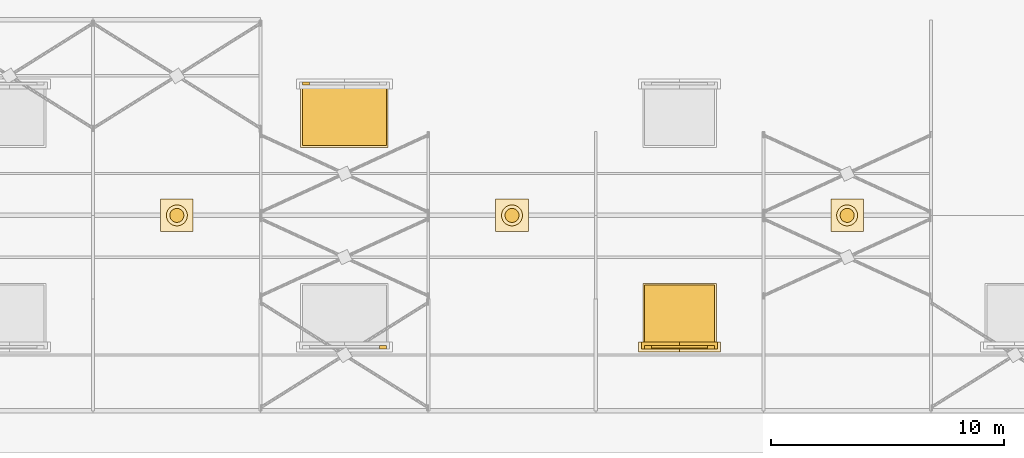
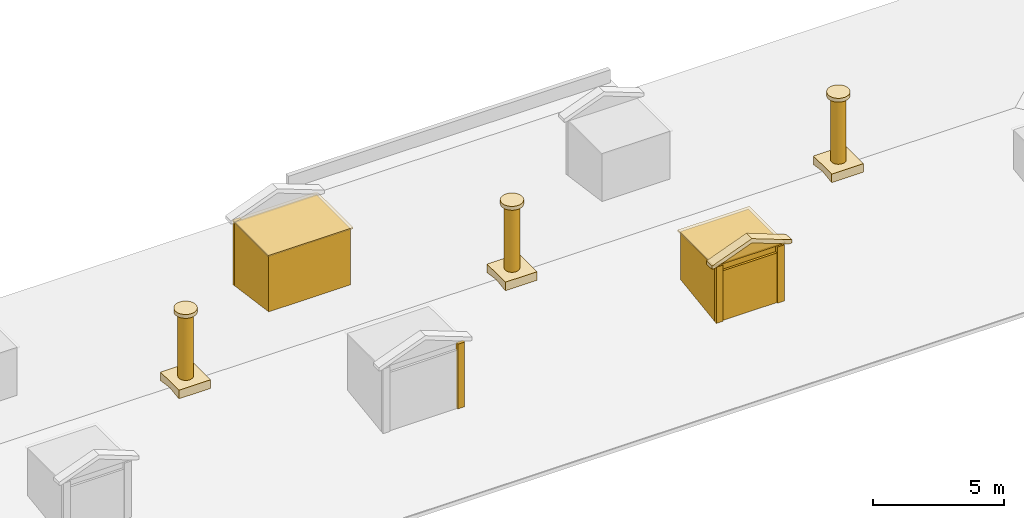
# One storey, part 20 of 24: 19 coverings, 1 shading device.
"""IFC4 building model written with IfcOpenShell, lengths in metres."""

from ifc_helpers import new_model, si_unit, direction, frame, origin, origin_2d, place, context, subcontext, project, spatial, polyline, rectangle, circle, outline, extrude, material, layer, layer_set, material_profile, profile_set, type_object, element, save


model = new_model("IFC4")

# Units and contexts
model_context = context("Model", 3, precision=1e-05, world=origin(), true_north=direction((0.0, 1.0)))
body_context = subcontext(model_context, "Body", "Model", "MODEL_VIEW")
ifc_project = project(units=[si_unit("LENGTHUNIT", "METRE"), si_unit("AREAUNIT", "SQUARE_METRE"), si_unit("VOLUMEUNIT", "CUBIC_METRE"), si_unit("PLANEANGLEUNIT", "RADIAN"), si_unit("MASSUNIT", "GRAM", prefix="KILO")], contexts=[model_context])

# Site, building, storey
site_placement = place(None, origin())
site = spatial("IfcSite", under=ifc_project, at=site_placement, CompositionType="ELEMENT")
building_placement = place(site_placement, origin())
building = spatial("IfcBuilding", under=site, at=building_placement, Name="Ussher Court Research Institute", CompositionType="ELEMENT")
storey_placement = place(building_placement, frame((0.0, 0.0, 32.39990234375)))
storey = spatial("IfcBuildingStorey", under=building, at=storey_placement, Name="L07", CompositionType="ELEMENT", Elevation=32.39990234375)

# Coverings
ifc_material_1 = material(Name="Lead sheet cladding")
covering_type_1 = type_object("IfcCoveringType", Name="Dormer body 3000x2600x2600", PredefinedType="CLADDING", material=ifc_material_1)
covering_1_placement = place(storey_placement, frame((55.5, 74.0, 0.68701171875), z_axis=(1.0, 0.0, 0.0), x_axis=(0.0, 1.0, 0.0)))
element("IfcCovering", 1, at=covering_1_placement, inside=storey, type_object=covering_type_1, Name="Dormer body DM30 S4", PredefinedType="CLADDING", context=body_context, shape_type="SweptSolid", body=[
    extrude(outline(polyline([(0.0, 0.0), (2.60009765625, 0.365478515625), (2.60009765625, 2.60009765625), (0.0, 2.60009765625), (0.0, 0.0)])), origin(), (0.0, 0.0, 1.0), 3.0),
])
ifc_material_2 = material(Name="Lead sheet cladding")
covering_type_2 = type_object("IfcCoveringType", Name="Dormer body 3600x2600x3000", PredefinedType="CLADDING", material=ifc_material_2)
covering_2_placement = place(storey_placement, frame((40.800048828125, 85.199951171875, 0.68701171875), z_axis=(1.0, 0.0, 0.0), x_axis=(0.0, 1.0, 0.0)))
element("IfcCovering", 2, at=covering_2_placement, inside=storey, type_object=covering_type_2, Name="Dormer body DM36 N2", PredefinedType="CLADDING", context=body_context, shape_type="SweptSolid", body=[
    extrude(outline(polyline([(0.0, 0.0), (0.0, 3.0), (-2.60009765625, 3.0), (-2.60009765625, 0.365478515625), (0.0, 0.0)])), origin(), (0.0, 0.0, 1.0), 3.599853515625),
])
ifc_material_3 = material(Name="Lead sheet cladding")
ifc_layer_1 = layer(ifc_material_3, 0.06005859375)
ifc_layer_set_1 = layer_set([ifc_layer_1], Name="Lead sheet cladding")
covering_type_3 = type_object("IfcCoveringType", Name="Dormer cap 3160x2760", PredefinedType="CLADDING", material=ifc_layer_set_1)
covering_3_placement = place(storey_placement, frame((57.0, 75.300048828125, 3.286865234375), z_axis=(0.0, 0.0, 1.0), x_axis=(1.0, 0.0, 0.0)))
element("IfcCovering", 3, at=covering_3_placement, inside=storey, type_object=covering_type_3, Name="Dormer cap DC30 S4", PredefinedType="CLADDING", context=body_context, shape_type="SweptSolid", body=[
    extrude(rectangle(XDim=3.159912109375, YDim=2.760009765625, at=origin_2d()), origin(), (0.0, 0.0, 1.0), 0.06005859375),
])
ifc_material_4 = material(Name="Lead sheet cladding")
ifc_layer_2 = layer(ifc_material_4, 0.06005859375)
ifc_layer_set_2 = layer_set([ifc_layer_2], Name="Lead sheet cladding")
covering_type_4 = type_object("IfcCoveringType", Name="Dormer cap 3760x2760", PredefinedType="CLADDING", material=ifc_layer_set_2)
covering_4_placement = place(storey_placement, frame((42.60009765625, 83.89990234375, 3.68701171875), z_axis=(0.0, 0.0, 1.0), x_axis=(1.0, 0.0, 0.0)))
element("IfcCovering", 4, at=covering_4_placement, inside=storey, type_object=covering_type_4, Name="Dormer cap DC36 N2", PredefinedType="CLADDING", context=body_context, shape_type="SweptSolid", body=[
    extrude(rectangle(XDim=3.760009765625, YDim=2.760009765625, at=origin_2d()), origin(), (0.0, 0.0, 1.0), 0.06005859375),
])
ifc_material_5 = material(Name="Limestone cornice", Category="masonry")
covering_type_5 = type_object("IfcCoveringType", Name="Dormer pilaster 300x140", PredefinedType="CLADDING", material=ifc_material_5)
covering_5_placement = place(storey_placement, frame((44.25, 73.929931640625, 0.6669921875), z_axis=(0.0, 0.0, 1.0), x_axis=(1.0, 0.0, 0.0)))
element("IfcCovering", 5, at=covering_5_placement, inside=storey, type_object=covering_type_5, Name="Dormer pilaster DP1 S3", PredefinedType="CLADDING", context=body_context, shape_type="SweptSolid", body=[
    extrude(rectangle(XDim=0.300048828125, YDim=0.139892578125, at=origin_2d()), origin(), (0.0, 0.0, 1.0), 3.019775390625),
])
for number, where, z_axis, x_axis, name in (
    (6, (55.64990234375, 73.929931640625, 0.667236328125), (0.0, 0.0, 1.0), (1.0, 0.0, 0.0), "Dormer pilaster DP1 S4"),
    (7, (58.35009765625, 73.929931640625, 0.667236328125), (0.0, 0.0, 1.0), (1.0, 0.0, 0.0), "Dormer pilaster DP1 S4"),
):
    element("IfcCovering", number, at=place(storey_placement, frame(where, z_axis=z_axis, x_axis=x_axis)), inside=storey, type_object=covering_type_5, Name=name, PredefinedType="CLADDING", context=body_context, shape_type="SweptSolid", body=[
        extrude(rectangle(XDim=0.300048828125, YDim=0.139892578125, at=origin_2d()), origin(), (0.0, 0.0, 1.0), 2.61962890625),
    ])
covering_6_placement = place(storey_placement, frame((40.949951171875, 85.27001953125, 0.6669921875), z_axis=(0.0, 0.0, 1.0), x_axis=(1.0, 0.0, 0.0)))
element("IfcCovering", 8, at=covering_6_placement, inside=storey, type_object=covering_type_5, Name="Dormer pilaster DP1 N2", PredefinedType="CLADDING", context=body_context, shape_type="SweptSolid", body=[
    extrude(rectangle(XDim=0.300048828125, YDim=0.139892578125, at=origin_2d()), origin(), (0.0, 0.0, 1.0), 3.019775390625),
])
ifc_material_6 = material(Name="Limestone cornice", Category="masonry")
covering_type_6 = type_object("IfcCoveringType", Name="Dormer raking cornice 3520", PredefinedType="CLADDING", material=ifc_material_6)
covering_7_placement = place(storey_placement, frame((57.0, 73.739990234375, 3.346923828125), z_axis=(0.0, 1.0, 0.0), x_axis=(-1.0, 0.0, 0.0)))
element("IfcCovering", 9, at=covering_7_placement, inside=storey, type_object=covering_type_6, Name="Dormer rake DR30 S4", PredefinedType="CLADDING", context=body_context, shape_type="SweptSolid", body=[
    extrude(outline(polyline([(1.760009765625, 0.0), (1.760009765625, 0.154296875), (0.0, 0.8232421875), (-1.760009765625, 0.154296875), (-1.760009765625, 0.0), (-1.639892578125, 0.0), (0.0, 0.623291015625), (1.639892578125, 0.0), (1.760009765625, 0.0)])), origin(), (0.0, 0.0, 1.0), 0.419921875),
])
ifc_material_7 = material(Name="Limestone cornice", Category="masonry")
covering_type_7 = type_object("IfcCoveringType", Name="Dormer tympanum 3280x623", PredefinedType="CLADDING", material=ifc_material_7)
covering_8_placement = place(storey_placement, frame((57.0, 73.860107421875, 3.346923828125), z_axis=(0.0, 1.0, 0.0), x_axis=(-1.0, 0.0, 0.0)))
element("IfcCovering", 10, at=covering_8_placement, inside=storey, type_object=covering_type_7, Name="Dormer tymp DT30 S4", PredefinedType="CLADDING", context=body_context, shape_type="SweptSolid", body=[
    extrude(outline(polyline([(1.639892578125, 0.0), (0.0, 0.623291015625), (-1.639892578125, 0.0), (1.639892578125, 0.0)])), origin(), (0.0, 0.0, 1.0), 0.2998046875),
])

# Shading device
ifc_material_8 = material(Name="Aluminium louvre", Category="aluminium")
ifc_layer_3 = layer(ifc_material_8, 0.10009765625)
ifc_layer_set_3 = layer_set([ifc_layer_3], Name="Aluminium louvre")
shading_device_type = type_object("IfcShadingDeviceType", Name="Dormer vent louvre 2400x2300", PredefinedType="USERDEFINED", material=ifc_layer_set_3)
shading_device_placement = place(storey_placement, frame((57.0, 73.949951171875, 0.6728515625), z_axis=(0.0, 0.0, 1.0), x_axis=(1.0, 0.0, 0.0)))
element("IfcShadingDevice", 11, at=shading_device_placement, inside=storey, type_object=shading_device_type, Name="Dormer vent louvre DL30 S4", ObjectType="LOUVRE", PredefinedType="USERDEFINED", context=body_context, shape_type="SweptSolid", body=[
    extrude(rectangle(XDim=2.39990234375, YDim=0.10009765625, at=origin_2d()), origin(), (0.0, 0.0, 1.0), 2.314208984375),
])

# Coverings
ifc_material_9 = material(Name="Galvanised steel flue", Category="steel")
ifc_material_profile_1 = material_profile(ifc_material_9, circle(Radius=0.300048828125, at=origin_2d()), Name="Extract flue 600 dia")
ifc_profile_set_1 = profile_set([ifc_material_profile_1], Name="Galvanised steel flue")
covering_type_8 = type_object("IfcCoveringType", Name="Extract flue 600 dia", PredefinedType="CLADDING", material=ifc_profile_set_1)
for number, where, z_axis, x_axis, name in (
    (12, (35.39990234375, 79.60009765625, 1.77392578125), (0.0, 0.0, 1.0), (1.0, 0.0, 0.0), "Extract flue SK2 2"),
    (13, (49.800048828125, 79.60009765625, 1.77392578125), (0.0, 0.0, 1.0), (1.0, 0.0, 0.0), "Extract flue SK2 3"),
    (14, (64.199951171875, 79.60009765625, 1.77392578125), (0.0, 0.0, 1.0), (1.0, 0.0, 0.0), "Extract flue SK2 4"),
):
    element("IfcCovering", number, at=place(storey_placement, frame(where, z_axis=z_axis, x_axis=x_axis)), inside=storey, type_object=covering_type_8, Name=name, PredefinedType="CLADDING", context=body_context, shape_type="SweptSolid", body=[
        extrude(circle(Radius=0.300048828125, at=origin_2d()), origin(), (0.0, 0.0, 1.0), 3.0),
    ])
ifc_material_10 = material(Name="Galvanised steel flue", Category="steel")
ifc_material_profile_2 = material_profile(ifc_material_10, circle(Radius=0.449951171875, at=origin_2d()), Name="Flue cowl 900 dia")
ifc_profile_set_2 = profile_set([ifc_material_profile_2], Name="Galvanised steel flue")
covering_type_9 = type_object("IfcCoveringType", Name="Flue cowl 900 dia", PredefinedType="CLADDING", material=ifc_profile_set_2)
for number, where, z_axis, x_axis, name in (
    (15, (35.39990234375, 79.60009765625, 4.77392578125), (0.0, 0.0, 1.0), (1.0, 0.0, 0.0), "Flue cowl SK3 2"),
    (16, (49.800048828125, 79.60009765625, 4.77392578125), (0.0, 0.0, 1.0), (1.0, 0.0, 0.0), "Flue cowl SK3 3"),
    (17, (64.199951171875, 79.60009765625, 4.77392578125), (0.0, 0.0, 1.0), (1.0, 0.0, 0.0), "Flue cowl SK3 4"),
):
    element("IfcCovering", number, at=place(storey_placement, frame(where, z_axis=z_axis, x_axis=x_axis)), inside=storey, type_object=covering_type_9, Name=name, PredefinedType="CLADDING", context=body_context, shape_type="SweptSolid", body=[
        extrude(circle(Radius=0.449951171875, at=origin_2d()), origin(), (0.0, 0.0, 1.0), 0.18017578125),
    ])
ifc_material_11 = material(Name="Lead sheet cladding")
covering_type_10 = type_object("IfcCoveringType", Name="Flue saddle 1400x300", PredefinedType="CLADDING", material=ifc_material_11)
covering_9_placement = place(storey_placement, frame((34.699951171875, 79.60009765625, 1.473876953125), z_axis=(1.0, 0.0, 0.0), x_axis=(0.0, 1.0, 0.0)))
element("IfcCovering", 18, at=covering_9_placement, inside=storey, type_object=covering_type_10, Name="Flue saddle SK1 2", PredefinedType="CLADDING", context=body_context, shape_type="SweptSolid", body=[
    extrude(outline(polyline([(-0.699951171875, -0.098388671875), (0.0, 0.0), (0.699951171875, -0.098388671875), (0.699951171875, 0.300048828125), (-0.699951171875, 0.300048828125), (-0.699951171875, -0.098388671875)])), origin(), (0.0, 0.0, 1.0), 1.400146484375),
])
for number, where, z_axis, x_axis, name in (
    (19, (49.10009765625, 79.60009765625, 1.473876953125), (1.0, 0.0, 0.0), (0.0, 1.0, 0.0), "Flue saddle SK1 3"),
    (20, (63.5, 79.60009765625, 1.473876953125), (1.0, 0.0, 0.0), (0.0, 1.0, 0.0), "Flue saddle SK1 4"),
):
    element("IfcCovering", number, at=place(storey_placement, frame(where, z_axis=z_axis, x_axis=x_axis)), inside=storey, type_object=covering_type_10, Name=name, PredefinedType="CLADDING", context=body_context, shape_type="SweptSolid", body=[
        extrude(outline(polyline([(-0.699951171875, -0.098388671875), (0.0, 0.0), (0.699951171875, -0.098388671875), (0.699951171875, 0.300048828125), (-0.699951171875, 0.300048828125), (-0.699951171875, -0.098388671875)])), origin(), (0.0, 0.0, 1.0), 1.39990234375),
    ])

save(model, "model.ifc")
